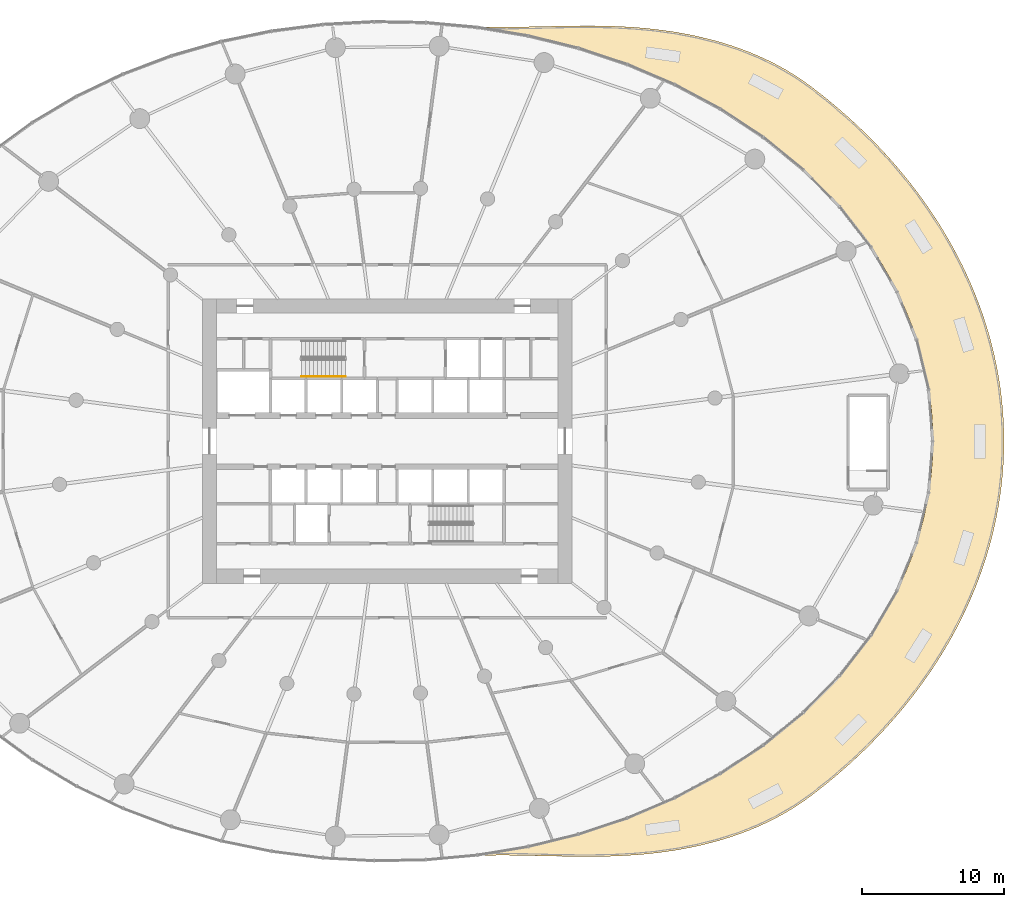
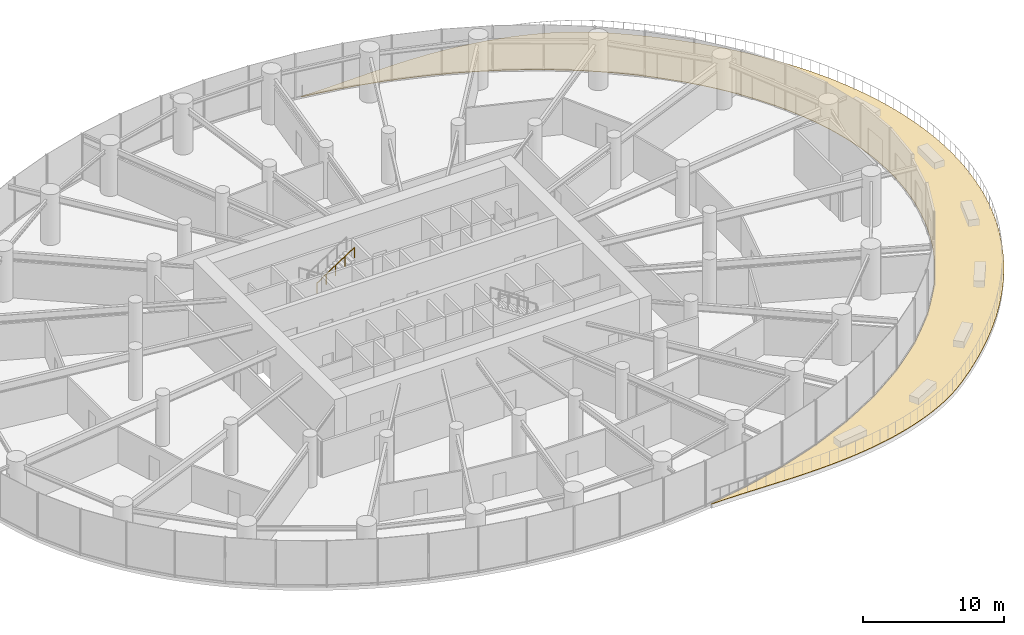
# One storey, part 18 of 21: 1 covering, 1 railing.
"""IFC4 building model written with IfcOpenShell, lengths in metres."""

from ifc_helpers import new_model, si_unit, direction, frame, origin, origin_2d, place, context, subcontext, project, spatial, line, indexed_curve, circle, outline, extrude, material, layer, layer_set, type_object, element, save


model = new_model("IFC4")

# Units and contexts
model_context = context("Model", 3, precision=1e-05, world=origin(), true_north=direction((0.0, 1.0)))
body_context = subcontext(model_context, "Body", "Model", "MODEL_VIEW")
ifc_project = project(units=[si_unit("LENGTHUNIT", "METRE"), si_unit("AREAUNIT", "SQUARE_METRE"), si_unit("VOLUMEUNIT", "CUBIC_METRE"), si_unit("PLANEANGLEUNIT", "RADIAN"), si_unit("MASSUNIT", "GRAM", prefix="KILO")], contexts=[model_context])

# Site, building, storey
site_placement = place(None, origin())
site = spatial("IfcSite", under=ifc_project, at=site_placement, CompositionType="ELEMENT")
building_placement = place(site_placement, origin())
building = spatial("IfcBuilding", under=site, at=building_placement, Name="Spindrift Exchange Tower", CompositionType="ELEMENT")
storey_placement = place(building_placement, frame((0.0, 0.0, 18.199951171875)))
storey = spatial("IfcBuildingStorey", under=building, at=storey_placement, Name="L04", CompositionType="ELEMENT", Elevation=18.199951171875)

# Railing
ifc_material_1 = material(Name="Steel tubular handrail", Category="steel")
railing_type = type_object("IfcRailingType", Name="RL-STAIR-HAND", PredefinedType="HANDRAIL", material=ifc_material_1)
railing_placement = place(storey_placement, frame((45.969970703125, 52.550048828125, 2.38330078125)))
element("IfcRailing", 1, at=railing_placement, inside=storey, type_object=railing_type, Name="L04 ST1 stair handrail 2", PredefinedType="HANDRAIL", context=body_context, shape_type="SweptSolid", body=[
    extrude(circle(Radius=0.02392578125, at=origin_2d()), frame((0.0, 0.0, 0.8759765625), z_axis=(0.836602609513, 0.0, 0.547810253423), x_axis=(0.0, 1.0, 0.0)), (0.0, 0.0, 1.0), 3.681640625),
    extrude(circle(Radius=0.02099609375, at=origin_2d()), origin(), (0.0, 0.0, 1.0), 0.851806640625),
    extrude(circle(Radius=0.02099609375, at=origin_2d()), frame((0.77001953125, 0.0, 0.504150390625)), (0.0, 0.0, 1.0), 0.851806640625),
    extrude(circle(Radius=0.02099609375, at=origin_2d()), frame((1.5400390625, 0.0, 1.00830078125)), (0.0, 0.0, 1.0), 0.851806640625),
    extrude(circle(Radius=0.02099609375, at=origin_2d()), frame((2.31005859375, 0.0, 1.5126953125)), (0.0, 0.0, 1.0), 0.851806640625),
    extrude(circle(Radius=0.02099609375, at=origin_2d()), frame((3.080078125, 0.0, 2.016845703125)), (0.0, 0.0, 1.0), 0.851806640625),
])

# Covering
ifc_material_2 = material(Name="Hardwood timber decking on pedestals", Category="wood")
ifc_layer = layer(ifc_material_2, 0.0400390625)
ifc_layer_set = layer_set([ifc_layer], Name="TERRACE DECKING 40")
covering_type = type_object("IfcCoveringType", Name="TERRACE DECKING 40", PredefinedType="FLOORING", material=ifc_layer_set)
covering_placement = place(storey_placement, origin())
element("IfcCovering", 2, at=covering_placement, inside=storey, type_object=covering_type, Name="L04 Terrace Decking 1", PredefinedType="FLOORING", context=body_context, shape_type="SweptSolid", body=[
    extrude(outline(indexed_curve([(58.8916015625, 77.0185546875), (58.8623046875, 77.0341796875), (58.8486328125, 77.0703125), (58.861328125, 77.1015625), (58.8955078125, 77.1181640625), (59.7978515625, 77.1005859375), (60.8984375, 77.1044921875), (64.998046875, 77.1953125), (66.8759765625, 77.1953125), (68.1630859375, 77.1591796875), (69.474609375, 77.08203125), (70.8046875, 76.955078125), (72.1455078125, 76.7724609375), (73.4951171875, 76.5244140625), (74.83984375, 76.205078125), (75.5087890625, 76.017578125), (76.1728515625, 75.8095703125), (76.8330078125, 75.5810546875), (77.4853515625, 75.3310546875), (78.1298828125, 75.0595703125), (78.7666015625, 74.765625), (79.3896484375, 74.451171875), (80.0009765625, 74.1123046875), (80.5986328125, 73.7509765625), (81.1796875, 73.3671875), (81.7451171875, 72.9599609375), (82.8466796875, 72.099609375), (83.9248046875, 71.1953125), (84.455078125, 70.7265625), (85.4970703125, 69.75390625), (86.5087890625, 68.734375), (87.4873046875, 67.669921875), (88.427734375, 66.560546875), (89.326171875, 65.40625), (90.1796875, 64.2060546875), (90.982421875, 62.9638671875), (91.7314453125, 61.6796875), (92.419921875, 60.3583984375), (93.0458984375, 58.9970703125), (93.6025390625, 57.60546875), (94.0888671875, 56.181640625), (94.3046875, 55.4599609375), (94.5009765625, 54.73046875), (94.6767578125, 53.9970703125), (94.8330078125, 53.2587890625), (94.9697265625, 52.5166015625), (95.0849609375, 51.7705078125), (95.1806640625, 51.0205078125), (95.2548828125, 50.2666015625), (95.3076171875, 49.51171875), (95.33984375, 48.755859375), (95.349609375, 48.0009765625), (95.33984375, 47.244140625), (95.3076171875, 46.48828125), (95.2548828125, 45.7333984375), (95.1806640625, 44.9814453125), (95.0849609375, 44.2294921875), (94.9697265625, 43.4833984375), (94.8330078125, 42.740234375), (94.6767578125, 42.0029296875), (94.5009765625, 41.26953125), (94.3046875, 40.541015625), (94.08984375, 39.8193359375), (93.85546875, 39.1025390625), (93.3330078125, 37.6943359375), (92.7412109375, 36.318359375), (92.0830078125, 34.9755859375), (91.3642578125, 33.6728515625), (90.587890625, 32.41015625), (89.759765625, 31.189453125), (88.8818359375, 30.0107421875), (87.9619140625, 28.87890625), (87.001953125, 27.791015625), (86.0068359375, 26.75), (85.4970703125, 26.24609375), (84.4560546875, 25.2744140625), (83.3876953125, 24.3466796875), (82.845703125, 23.900390625), (81.74609375, 23.041015625), (81.1796875, 22.6328125), (80.5986328125, 22.2490234375), (80.0029296875, 21.888671875), (79.3896484375, 21.548828125), (78.765625, 21.2333984375), (78.1298828125, 20.9404296875), (77.4873046875, 20.669921875), (76.833984375, 20.419921875), (76.1748046875, 20.19140625), (75.5087890625, 19.982421875), (74.16796875, 19.6259765625), (73.494140625, 19.4755859375), (72.1474609375, 19.228515625), (70.8037109375, 19.044921875), (70.13671875, 18.974609375), (68.81640625, 18.8740234375), (67.515625, 18.818359375), (65.6171875, 18.798828125), (60.8984375, 18.8955078125), (59.7978515625, 18.8994140625), (58.8955078125, 18.8818359375), (58.861328125, 18.8984375), (58.8486328125, 18.9296875), (58.8583984375, 18.9619140625), (58.88671875, 18.98046875), (59.69921875, 19.1005859375), (60.87109375, 19.2998046875), (62.0380859375, 19.5283203125), (63.19921875, 19.7861328125), (64.927734375, 20.2265625), (66.6376953125, 20.7333984375), (68.3271484375, 21.306640625), (69.9921875, 21.9482421875), (71.62890625, 22.6572265625), (73.2333984375, 23.4345703125), (74.8037109375, 24.2822265625), (76.333984375, 25.19921875), (77.818359375, 26.1865234375), (79.25390625, 27.2451171875), (80.1796875, 27.9912109375), (80.6337890625, 28.3759765625), (81.51953125, 29.1689453125), (81.9521484375, 29.5771484375), (82.7939453125, 30.4169921875), (83.2021484375, 30.8486328125), (83.9951171875, 31.7353515625), (84.751953125, 32.6533203125), (85.1162109375, 33.123046875), (85.8154296875, 34.0849609375), (86.1494140625, 34.576171875), (86.7861328125, 35.5810546875), (87.087890625, 36.09375), (87.6552734375, 37.1376953125), (88.17578125, 38.20703125), (88.416015625, 38.7509765625), (88.859375, 39.85546875), (89.248046875, 40.978515625), (89.4208984375, 41.546875), (89.7255859375, 42.697265625), (89.970703125, 43.8603515625), (90.0703125, 44.4462890625), (90.2255859375, 45.6259765625), (90.3193359375, 46.8115234375), (90.349609375, 48.0), (90.341796875, 48.5947265625), (90.2802734375, 49.7822265625), (90.2255859375, 50.3740234375), (90.0703125, 51.552734375), (89.85546875, 52.72265625), (89.7255859375, 53.302734375), (89.4208984375, 54.453125), (89.248046875, 55.021484375), (88.859375, 56.1455078125), (88.4169921875, 57.248046875), (87.921875, 58.330078125), (87.3779296875, 59.38671875), (86.7861328125, 60.4189453125), (86.1494140625, 61.4228515625), (85.470703125, 62.3994140625), (84.751953125, 63.3466796875), (83.9951171875, 64.263671875), (83.203125, 65.150390625), (82.376953125, 66.0068359375), (81.5205078125, 66.8310546875), (80.6337890625, 67.6240234375), (79.720703125, 68.3857421875), (78.78125, 69.115234375), (77.818359375, 69.8134765625), (76.8330078125, 70.4794921875), (75.828125, 71.1142578125), (74.28515625, 72.0078125), (73.234375, 72.5654296875), (72.1669921875, 73.091796875), (71.0859375, 73.5869140625), (69.439453125, 74.2734375), (68.3271484375, 74.693359375), (67.203125, 75.0830078125), (65.5, 75.611328125), (64.353515625, 75.927734375), (63.19921875, 76.2138671875), (61.4560546875, 76.5888671875), (60.28515625, 76.8037109375)], segments=[line(1, 2, 3, 4, 5, 6, 7, 8, 9, 10, 11, 12, 13, 14, 15, 16, 17, 18, 19, 20, 21, 22, 23, 24, 25, 26, 27, 28, 29, 30, 31, 32, 33, 34, 35, 36, 37, 38, 39, 40, 41, 42, 43, 44, 45, 46, 47, 48, 49, 50, 51, 52, 53, 54, 55, 56, 57, 58, 59, 60, 61, 62, 63, 64, 65, 66, 67, 68, 69, 70, 71, 72, 73, 74, 75, 76, 77, 78, 79, 80, 81, 82, 83, 84, 85, 86, 87, 88, 89, 90, 91, 92, 93, 94, 95, 96, 97, 98, 99, 100, 101, 102, 103, 104, 105, 106, 107, 108, 109, 110, 111, 112, 113, 114, 115, 116, 117, 118, 119, 120, 121, 122, 123, 124, 125, 126, 127, 128, 129, 130, 131, 132, 133, 134, 135, 136, 137, 138, 139, 140, 141, 142, 143, 144, 145, 146, 147, 148, 149, 150, 151, 152, 153, 154, 155, 156, 157, 158, 159, 160, 161, 162, 163, 164, 165, 166, 167, 168, 169, 170, 171, 172, 173, 174, 175, 176, 177, 178, 179, 180, 181, 1)], self_intersect=False)), origin(), (0.0, 0.0, 1.0), 0.0400390625),
])

save(model, "model.ifc")
